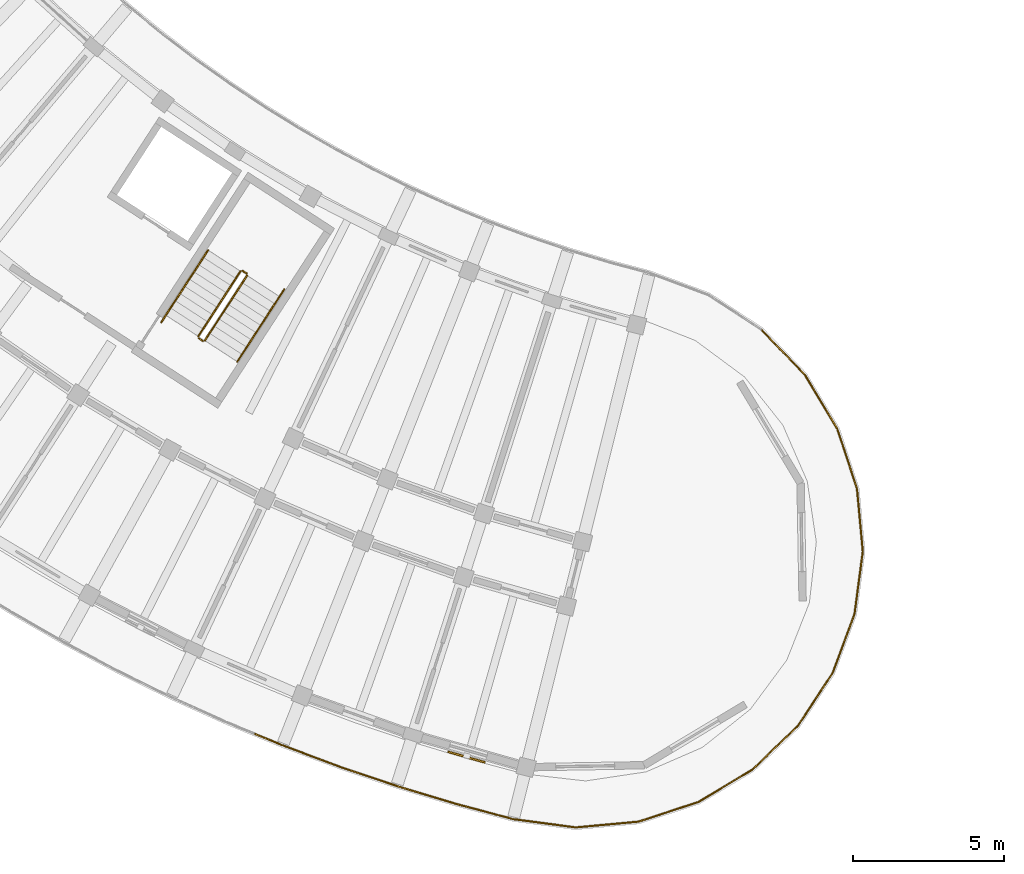
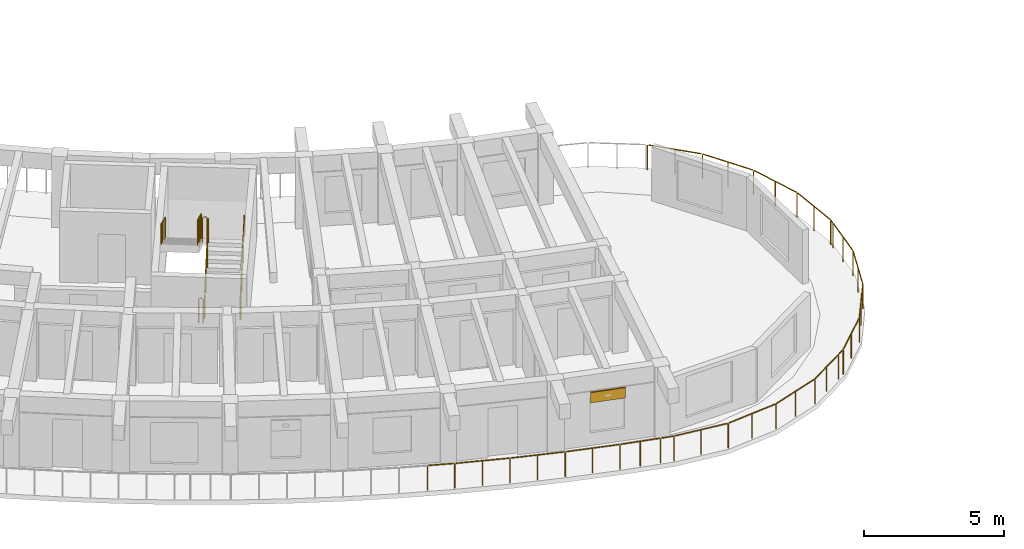
# One storey, part 54 of 69: 14 railings, 1 shading device.
"""IFC4 building model written with IfcOpenShell, lengths in metres."""

from ifc_helpers import new_model, si_unit, direction, frame, origin, origin_2d, place, context, subcontext, project, spatial, rectangle, circle, extrude, material, layer, layer_set, type_object, element, save


model = new_model("IFC4")

# Units and contexts
model_context = context("Model", 3, precision=1e-05, world=origin(), true_north=direction((0.0, 1.0)))
body_context = subcontext(model_context, "Body", "Model", "MODEL_VIEW")
ifc_project = project(units=[si_unit("LENGTHUNIT", "METRE"), si_unit("AREAUNIT", "SQUARE_METRE"), si_unit("VOLUMEUNIT", "CUBIC_METRE"), si_unit("PLANEANGLEUNIT", "RADIAN"), si_unit("MASSUNIT", "GRAM", prefix="KILO")], contexts=[model_context])

# Site, building, storey
site_placement = place(None, origin())
site = spatial("IfcSite", under=ifc_project, at=site_placement, CompositionType="ELEMENT")
building_placement = place(site_placement, origin())
building = spatial("IfcBuilding", under=site, at=building_placement, Name="Tanwirah Colonnade Gardens", CompositionType="ELEMENT")
storey_placement = place(building_placement, frame((0.0, 0.0, 15.56005859375)))
storey = spatial("IfcBuildingStorey", under=building, at=storey_placement, Name="L04", CompositionType="ELEMENT", Elevation=15.56005859375)

# Railings
ifc_material_1 = material(Name="Precast concrete C40/50", Category="concrete")
railing_type_1 = type_object("IfcRailingType", Name="BAL-EXT110", PredefinedType="BALUSTRADE", material=ifc_material_1)
railing_1_placement = place(storey_placement, frame((58.4072265625, 21.1796875, 0.0)))
element("IfcRailing", 1, at=railing_1_placement, inside=storey, type_object=railing_type_1, Name="Block C L04 Balcony Ribbon Balustrade 7", PredefinedType="BALUSTRADE", context=body_context, shape_type="SweptSolid", body=[
    extrude(circle(Radius=0.02392578125, at=origin_2d()), frame((0.021728515625, -0.0224609375, 1.076171875), z_axis=(0.692905401336, -0.721028504845, 0.0), x_axis=(0.721028504845, 0.692905401336, 0.0)), (0.0, 0.0, 1.0), 1.9775390625),
    extrude(circle(Radius=0.02392578125, at=origin_2d()), frame((1.4296875, -1.497802734375, 1.076171875), z_axis=(0.514994600754, -0.85719342111, 0.0), x_axis=(0.85719342111, 0.514994600754, 0.0)), (0.0, 0.0, 1.0), 2.0244140625),
    extrude(circle(Radius=0.02392578125, at=origin_2d()), frame((2.498046875, -3.28955078125, 1.076171875), z_axis=(0.311415597507, -0.950273816134, 0.0), x_axis=(0.950273816134, 0.311415597507, 0.0)), (0.0, 0.0, 1.0), 2.0244140625),
    extrude(circle(Radius=0.02392578125, at=origin_2d()), frame((3.14111328125, -5.274169921875, 1.076171875), z_axis=(0.092181027347, -0.995742264945, 0.0), x_axis=(0.995742264945, 0.092181027347, 0.0)), (0.0, 0.0, 1.0), 2.0244140625),
    extrude(circle(Radius=0.02392578125, at=origin_2d()), frame((3.326416015625, -7.35205078125, 1.076171875), z_axis=(-0.132485122951, -0.991184993932, 0.0), x_axis=(0.991184993932, -0.132485122951, 0.0)), (0.0, 0.0, 1.0), 0.136474609375),
    extrude(circle(Radius=0.02099609375, at=origin_2d()), origin(), (0.0, 0.0, 1.0), 1.049072265625),
    extrude(circle(Radius=0.02099609375, at=origin_2d()), frame((0.706787109375, -0.7353515625, 0.0)), (0.0, 0.0, 1.0), 1.049072265625),
    extrude(circle(Radius=0.02099609375, at=origin_2d()), frame((1.41357421875, -1.470947265625, 0.0)), (0.0, 0.0, 1.0), 1.049072265625),
    extrude(circle(Radius=0.02099609375, at=origin_2d()), frame((1.950927734375, -2.365234375, 0.0)), (0.0, 0.0, 1.0), 1.049072265625),
    extrude(circle(Radius=0.02099609375, at=origin_2d()), frame((2.48828125, -3.259765625, 0.0)), (0.0, 0.0, 1.0), 1.049072265625),
    extrude(circle(Radius=0.02099609375, at=origin_2d()), frame((2.813232421875, -4.25146484375, 0.0)), (0.0, 0.0, 1.0), 1.049072265625),
    extrude(circle(Radius=0.02099609375, at=origin_2d()), frame((3.13818359375, -5.242919921875, 0.0)), (0.0, 0.0, 1.0), 1.049072265625),
    extrude(circle(Radius=0.02099609375, at=origin_2d()), frame((3.234375, -6.281982421875, 0.0)), (0.0, 0.0, 1.0), 1.049072265625),
    extrude(circle(Radius=0.02099609375, at=origin_2d()), frame((3.33056640625, -7.321044921875, 0.0)), (0.0, 0.0, 1.0), 1.049072265625),
    extrude(circle(Radius=0.02099609375, at=origin_2d()), frame((3.30419921875, -7.518310546875, 0.0)), (0.0, 0.0, 1.0), 1.049072265625),
])
railing_2_placement = place(storey_placement, frame((61.71142578125, 13.661376953125, 0.0)))
element("IfcRailing", 2, at=railing_2_placement, inside=storey, type_object=railing_type_1, Name="Block C L04 Balcony Ribbon Balustrade 8", PredefinedType="BALUSTRADE", context=body_context, shape_type="SweptSolid", body=[
    extrude(circle(Radius=0.02392578125, at=origin_2d()), frame((-0.004150390625, -0.031005859375, 1.076171875), z_axis=(-0.131782511201, -0.991278653932, 0.0), x_axis=(0.991278653932, -0.131782511201, 0.0)), (0.0, 0.0, 1.0), 1.8251953125),
    extrude(circle(Radius=0.02392578125, at=origin_2d()), frame((-0.259765625, -1.900634765625, 1.076171875), z_axis=(-0.348994198599, -0.937124884604, 0.0), x_axis=(0.937124884604, -0.348994198599, 0.0)), (0.0, 0.0, 1.0), 2.024169921875),
    extrude(circle(Radius=0.02392578125, at=origin_2d()), frame((-0.994140625, -3.85302734375, 1.076171875), z_axis=(-0.548773979468, -0.835970764715, 0.0), x_axis=(0.835970764715, -0.548773979468, 0.0)), (0.0, 0.0, 1.0), 2.0244140625),
    extrude(circle(Radius=0.02392578125, at=origin_2d()), frame((-2.144775390625, -5.59326171875, 1.076171875), z_axis=(-0.721062309091, -0.692870223353, 0.0), x_axis=(0.692870223353, -0.721062309091, 0.0)), (0.0, 0.0, 1.0), 2.0244140625),
    extrude(circle(Radius=0.02392578125, at=origin_2d()), frame((-3.654052734375, -7.03369140625, 1.076171875), z_axis=(-0.857492925713, -0.514495755428, 0.0), x_axis=(0.514495755428, -0.857492925713, 0.0)), (0.0, 0.0, 1.0), 0.2890625),
    extrude(circle(Radius=0.02099609375, at=origin_2d()), origin(), (0.0, 0.0, 1.0), 1.049072265625),
    extrude(circle(Radius=0.02099609375, at=origin_2d()), frame((-0.12451171875, -0.935546875, 0.0)), (0.0, 0.0, 1.0), 1.049072265625),
    extrude(circle(Radius=0.02099609375, at=origin_2d()), frame((-0.248779296875, -1.871337890625, 0.0)), (0.0, 0.0, 1.0), 1.049072265625),
    extrude(circle(Radius=0.02099609375, at=origin_2d()), frame((-0.61279296875, -2.84912109375, 0.0)), (0.0, 0.0, 1.0), 1.049072265625),
    extrude(circle(Radius=0.02099609375, at=origin_2d()), frame((-0.97705078125, -3.826904296875, 0.0)), (0.0, 0.0, 1.0), 1.049072265625),
    extrude(circle(Radius=0.02099609375, at=origin_2d()), frame((-1.5498046875, -4.69921875, 0.0)), (0.0, 0.0, 1.0), 1.049072265625),
    extrude(circle(Radius=0.02099609375, at=origin_2d()), frame((-2.122314453125, -5.571533203125, 0.0)), (0.0, 0.0, 1.0), 1.049072265625),
    extrude(circle(Radius=0.02099609375, at=origin_2d()), frame((-2.874755859375, -6.29443359375, 0.0)), (0.0, 0.0, 1.0), 1.049072265625),
    extrude(circle(Radius=0.02099609375, at=origin_2d()), frame((-3.627197265625, -7.017578125, 0.0)), (0.0, 0.0, 1.0), 1.049072265625),
    extrude(circle(Radius=0.02099609375, at=origin_2d()), frame((-3.9287109375, -7.198486328125, 0.0)), (0.0, 0.0, 1.0), 1.049072265625),
])
railing_3_placement = place(storey_placement, frame((57.78271484375, 6.462890625, 0.0)))
element("IfcRailing", 3, at=railing_3_placement, inside=storey, type_object=railing_type_1, Name="Block C L04 Balcony Ribbon Balustrade 9", PredefinedType="BALUSTRADE", context=body_context, shape_type="SweptSolid", body=[
    extrude(circle(Radius=0.02392578125, at=origin_2d()), frame((-0.02685546875, -0.01611328125, 1.076171875), z_axis=(-0.857132694219, -0.515095665387, 0.0), x_axis=(0.515095665387, -0.857132694219, 0.0)), (0.0, 0.0, 1.0), 1.672607421875),
    extrude(circle(Radius=0.02392578125, at=origin_2d()), frame((-1.51708984375, -0.903564453125, 1.076171875), z_axis=(-0.950273816134, -0.311415597507, 0.0), x_axis=(0.311415597507, -0.950273816134, 0.0)), (0.0, 0.0, 1.0), 2.0244140625),
    extrude(circle(Radius=0.02392578125, at=origin_2d()), frame((-3.501708984375, -1.546630859375, 1.076171875), z_axis=(-0.995752995821, -0.0920650385, 0.0), x_axis=(0.0920650385, -0.995752995821, 0.0)), (0.0, 0.0, 1.0), 2.0244140625),
    extrude(circle(Radius=0.02392578125, at=origin_2d()), frame((-5.57958984375, -1.731689453125, 1.076171875), z_axis=(-0.991286952851, 0.131720071011, 0.0), x_axis=(-0.131720071011, -0.991286952851, 0.0)), (0.0, 0.0, 1.0), 2.0283203125),
    extrude(circle(Radius=0.02392578125, at=origin_2d()), frame((-7.6513671875, -1.452392578125, 1.076171875), z_axis=(-0.966202518502, 0.257784198974, 0.0), x_axis=(-0.257784198974, -0.966202518502, 0.0)), (0.0, 0.0, 1.0), 0.4375),
    extrude(circle(Radius=0.02099609375, at=origin_2d()), origin(), (0.0, 0.0, 1.0), 1.049072265625),
    extrude(circle(Radius=0.02099609375, at=origin_2d()), frame((-0.74365234375, -0.44677734375, 0.0)), (0.0, 0.0, 1.0), 1.049072265625),
    extrude(circle(Radius=0.02099609375, at=origin_2d()), frame((-1.4873046875, -0.893798828125, 0.0)), (0.0, 0.0, 1.0), 1.049072265625),
    extrude(circle(Radius=0.02099609375, at=origin_2d()), frame((-2.47900390625, -1.21875, 0.0)), (0.0, 0.0, 1.0), 1.049072265625),
    extrude(circle(Radius=0.02099609375, at=origin_2d()), frame((-3.470458984375, -1.543701171875, 0.0)), (0.0, 0.0, 1.0), 1.049072265625),
    extrude(circle(Radius=0.02099609375, at=origin_2d()), frame((-4.509521484375, -1.6396484375, 0.0)), (0.0, 0.0, 1.0), 1.049072265625),
    extrude(circle(Radius=0.02099609375, at=origin_2d()), frame((-5.548583984375, -1.73583984375, 0.0)), (0.0, 0.0, 1.0), 1.049072265625),
    extrude(circle(Radius=0.02099609375, at=origin_2d()), frame((-6.5849609375, -1.59814453125, 0.0)), (0.0, 0.0, 1.0), 1.049072265625),
    extrude(circle(Radius=0.02099609375, at=origin_2d()), frame((-7.62109375, -1.46044921875, 0.0)), (0.0, 0.0, 1.0), 1.049072265625),
    extrude(circle(Radius=0.02099609375, at=origin_2d()), frame((-8.104248046875, -1.33154296875, 0.0)), (0.0, 0.0, 1.0), 1.049072265625),
])
railing_4_placement = place(storey_placement, frame((49.678466796875, 5.13134765625, 0.0)))
element("IfcRailing", 4, at=railing_4_placement, inside=storey, type_object=railing_type_1, Name="Block C L04 Balcony Ribbon Balustrade 10", PredefinedType="BALUSTRADE", context=body_context, shape_type="SweptSolid", body=[
    extrude(circle(Radius=0.02392578125, at=origin_2d()), frame((-0.0302734375, 0.008056640625, 1.076171875), z_axis=(-0.966189083101, 0.257834551014, 0.0), x_axis=(-0.257834551014, -0.966189083101, 0.0)), (0.0, 0.0, 1.0), 1.440185546875),
    extrude(circle(Radius=0.02392578125, at=origin_2d()), frame((-1.48193359375, 0.396484375, 1.076171875), z_axis=(-0.957268624199, 0.289200243991, 0.0), x_axis=(-0.289200243991, -0.957268624199, 0.0)), (0.0, 0.0, 1.0), 1.944091796875),
    extrude(circle(Radius=0.02392578125, at=origin_2d()), frame((-3.40234375, 0.977783203125, 1.076171875), z_axis=(-0.947287006593, 0.320386215589, 0.0), x_axis=(-0.320386215589, -0.947287006593, 0.0)), (0.0, 0.0, 1.0), 1.94384765625),
    extrude(circle(Radius=0.02392578125, at=origin_2d()), frame((-5.302734375, 1.62158203125, 1.076171875), z_axis=(-0.93628917395, 0.351230099427, 0.0), x_axis=(-0.351230099427, -0.93628917395, 0.0)), (0.0, 0.0, 1.0), 1.9443359375),
    extrude(circle(Radius=0.02392578125, at=origin_2d()), frame((-7.18115234375, 2.327392578125, 1.076171875), z_axis=(-0.924320802518, 0.381616370237, 0.0), x_axis=(-0.381616370237, -0.924320802518, 0.0)), (0.0, 0.0, 1.0), 0.9150390625),
    extrude(circle(Radius=0.02099609375, at=origin_2d()), origin(), (0.0, 0.0, 1.0), 1.049072265625),
    extrude(circle(Radius=0.02099609375, at=origin_2d()), frame((-0.72607421875, 0.19384765625, 0.0)), (0.0, 0.0, 1.0), 1.049072265625),
    extrude(circle(Radius=0.02099609375, at=origin_2d()), frame((-1.451904296875, 0.387451171875, 0.0)), (0.0, 0.0, 1.0), 1.049072265625),
    extrude(circle(Radius=0.02099609375, at=origin_2d()), frame((-2.412353515625, 0.677734375, 0.0)), (0.0, 0.0, 1.0), 1.049072265625),
    extrude(circle(Radius=0.02099609375, at=origin_2d()), frame((-3.372802734375, 0.9677734375, 0.0)), (0.0, 0.0, 1.0), 1.049072265625),
    extrude(circle(Radius=0.02099609375, at=origin_2d()), frame((-4.3232421875, 1.2890625, 0.0)), (0.0, 0.0, 1.0), 1.049072265625),
    extrude(circle(Radius=0.02099609375, at=origin_2d()), frame((-5.2734375, 1.610595703125, 0.0)), (0.0, 0.0, 1.0), 1.049072265625),
    extrude(circle(Radius=0.02099609375, at=origin_2d()), frame((-6.212890625, 1.962890625, 0.0)), (0.0, 0.0, 1.0), 1.049072265625),
    extrude(circle(Radius=0.02099609375, at=origin_2d()), frame((-7.15234375, 2.3154296875, 0.0)), (0.0, 0.0, 1.0), 1.049072265625),
    extrude(circle(Radius=0.02099609375, at=origin_2d()), frame((-8.055908203125, 2.6884765625, 0.0)), (0.0, 0.0, 1.0), 1.049072265625),
])
ifc_material_2 = material(Name="Powder-coated galvanized steel", Category="steel")
railing_type_2 = type_object("IfcRailingType", Name="GRD-ST110", PredefinedType="GUARDRAIL", material=ifc_material_2)
railing_5_placement = place(storey_placement, frame((39.955078125, 20.84814453125, 0.16796875)))
element("IfcRailing", 5, at=railing_5_placement, inside=storey, type_object=railing_type_2, Name="L04 ST-C2 stair guard 1", PredefinedType="GUARDRAIL", context=body_context, shape_type="SweptSolid", body=[
    extrude(circle(Radius=0.02392578125, at=origin_2d()), frame((0.0146484375, 0.022705078125, 1.092041015625), z_axis=(0.469192556557, 0.722484378858, 0.507813614603), x_axis=(-0.838667537708, 0.544643701143, 0.0)), (0.0, 0.0, 1.0), 2.914794921875),
    extrude(circle(Radius=0.02099609375, at=origin_2d()), origin(), (0.0, 0.0, 1.0), 1.049072265625),
    extrude(circle(Radius=0.02099609375, at=origin_2d()), frame((0.465576171875, 0.717041015625, 0.50390625)), (0.0, 0.0, 1.0), 1.049072265625),
    extrude(circle(Radius=0.02099609375, at=origin_2d()), frame((0.931396484375, 1.43408203125, 1.008056640625)), (0.0, 0.0, 1.0), 1.049072265625),
    extrude(circle(Radius=0.02099609375, at=origin_2d()), frame((1.39697265625, 2.151123046875, 1.511962890625)), (0.0, 0.0, 1.0), 1.049072265625),
])
railing_6_placement = place(storey_placement, frame((41.33740234375, 23.068603515625, 1.679931640625)))
element("IfcRailing", 6, at=railing_6_placement, inside=storey, type_object=railing_type_2, Name="L04 ST-C2 stair guard 2", PredefinedType="GUARDRAIL", context=body_context, shape_type="SweptSolid", body=[
    extrude(circle(Radius=0.02392578125, at=origin_2d()), frame((-0.026123046875, 0.01708984375, 1.076171875), z_axis=(-0.838791880614, 0.544452184326, 0.0), x_axis=(-0.544452184326, -0.838791880614, 0.0)), (0.0, 0.0, 1.0), 0.09765625),
    extrude(circle(Radius=0.02099609375, at=origin_2d()), origin(), (0.0, 0.0, 1.0), 1.049072265625),
    extrude(circle(Radius=0.02099609375, at=origin_2d()), frame((-0.13427734375, 0.087158203125, 0.0)), (0.0, 0.0, 1.0), 1.049072265625),
])
railing_7_placement = place(storey_placement, frame((41.134033203125, 23.140869140625, 1.847900390625)))
element("IfcRailing", 7, at=railing_7_placement, inside=storey, type_object=railing_type_2, Name="L04 ST-C2 stair guard 3", PredefinedType="GUARDRAIL", context=body_context, shape_type="SweptSolid", body=[
    extrude(circle(Radius=0.02392578125, at=origin_2d()), frame((-0.0146484375, -0.022705078125, 1.092041015625), z_axis=(-0.469192556557, -0.722484378858, 0.507813614603), x_axis=(0.838667537708, -0.544643701143, 0.0)), (0.0, 0.0, 1.0), 2.914794921875),
    extrude(circle(Radius=0.02099609375, at=origin_2d()), origin(), (0.0, 0.0, 1.0), 1.049072265625),
    extrude(circle(Radius=0.02099609375, at=origin_2d()), frame((-0.465576171875, -0.717041015625, 0.50390625)), (0.0, 0.0, 1.0), 1.049072265625),
    extrude(circle(Radius=0.02099609375, at=origin_2d()), frame((-0.931396484375, -1.43408203125, 1.008056640625)), (0.0, 0.0, 1.0), 1.049072265625),
    extrude(circle(Radius=0.02099609375, at=origin_2d()), frame((-1.39697265625, -2.151123046875, 1.511962890625)), (0.0, 0.0, 1.0), 1.049072265625),
])
railing_8_placement = place(storey_placement, frame((39.8857421875, 20.83349609375, 0.0)))
element("IfcRailing", 8, at=railing_8_placement, inside=storey, type_object=railing_type_2, Name="L04 ST-C2 stair guard 4", PredefinedType="GUARDRAIL", context=body_context, shape_type="SweptSolid", body=[
    extrude(circle(Radius=0.02392578125, at=origin_2d()), frame((-0.026123046875, 0.01708984375, 1.076171875), z_axis=(-0.838338936283, 0.545149362938, 0.0), x_axis=(-0.545149362938, -0.838338936283, 0.0)), (0.0, 0.0, 1.0), 0.097412109375),
    extrude(circle(Radius=0.02099609375, at=origin_2d()), origin(), (0.0, 0.0, 1.0), 1.049072265625),
    extrude(circle(Radius=0.02099609375, at=origin_2d()), frame((-0.134033203125, 0.087158203125, 0.0)), (0.0, 0.0, 1.0), 1.049072265625),
])
ifc_material_3 = material(Name="Brushed bronze stainless steel", Category="steel")
railing_type_3 = type_object("IfcRailingType", Name="HR-ST090", PredefinedType="HANDRAIL", material=ifc_material_3)
railing_9_placement = place(storey_placement, frame((41.028564453125, 20.151123046875, 0.16796875)))
element("IfcRailing", 9, at=railing_9_placement, inside=storey, type_object=railing_type_3, Name="L04 ST-C2 stair handrail 1", PredefinedType="HANDRAIL", context=body_context, shape_type="SweptSolid", body=[
    extrude(circle(Radius=0.02392578125, at=origin_2d()), frame((0.0146484375, 0.0224609375, 0.891845703125), z_axis=(0.467889522294, 0.720492454576, 0.511830067333), x_axis=(-0.838672561027, 0.544635965926, 0.0)), (0.0, 0.0, 1.0), 1.043212890625),
    extrude(circle(Radius=0.02099609375, at=origin_2d()), origin(), (0.0, 0.0, 1.0), 0.848876953125),
    extrude(circle(Radius=0.02099609375, at=origin_2d()), frame((0.517333984375, 0.796630859375, 0.56591796875)), (0.0, 0.0, 1.0), 0.848876953125),
])
railing_10_placement = place(storey_placement, frame((41.5458984375, 20.94775390625, 0.73388671875)))
element("IfcRailing", 10, at=railing_10_placement, inside=storey, type_object=railing_type_3, Name="L04 ST-C2 stair handrail 2", PredefinedType="HANDRAIL", context=body_context, shape_type="SweptSolid", body=[
    extrude(circle(Radius=0.02392578125, at=origin_2d()), frame((0.0146484375, 0.0224609375, 0.891845703125), z_axis=(0.467836641068, 0.720411023977, 0.511993001717), x_axis=(-0.838672561027, 0.544635965926, 0.0)), (0.0, 0.0, 1.0), 1.043212890625),
    extrude(circle(Radius=0.02099609375, at=origin_2d()), origin(), (0.0, 0.0, 1.0), 0.848876953125),
    extrude(circle(Radius=0.02099609375, at=origin_2d()), frame((0.517333984375, 0.796630859375, 0.566162109375)), (0.0, 0.0, 1.0), 0.848876953125),
])
railing_11_placement = place(storey_placement, frame((42.063232421875, 21.744384765625, 1.300048828125)))
element("IfcRailing", 11, at=railing_11_placement, inside=storey, type_object=railing_type_3, Name="L04 ST-C2 stair handrail 3", PredefinedType="HANDRAIL", context=body_context, shape_type="SweptSolid", body=[
    extrude(circle(Radius=0.02392578125, at=origin_2d()), frame((0.0146484375, 0.0224609375, 0.891845703125), z_axis=(0.467987521127, 0.720524183471, 0.511695789609), x_axis=(-0.838631412534, 0.544699324317, 0.0)), (0.0, 0.0, 1.0), 1.04345703125),
    extrude(circle(Radius=0.02099609375, at=origin_2d()), origin(), (0.0, 0.0, 1.0), 0.848876953125),
    extrude(circle(Radius=0.02099609375, at=origin_2d()), frame((0.517578125, 0.796875, 0.56591796875)), (0.0, 0.0, 1.0), 0.848876953125),
])
railing_12_placement = place(storey_placement, frame((40.060546875, 23.838134765625, 1.847900390625)))
element("IfcRailing", 12, at=railing_12_placement, inside=storey, type_object=railing_type_3, Name="L04 ST-C2 stair handrail 4", PredefinedType="HANDRAIL", context=body_context, shape_type="SweptSolid", body=[
    extrude(circle(Radius=0.02392578125, at=origin_2d()), frame((-0.0146484375, -0.0224609375, 0.891845703125), z_axis=(-0.467934656569, -0.720442792, 0.511858711596), x_axis=(0.838631412534, -0.544699324317, 0.0)), (0.0, 0.0, 1.0), 1.04345703125),
    extrude(circle(Radius=0.02099609375, at=origin_2d()), origin(), (0.0, 0.0, 1.0), 0.848876953125),
    extrude(circle(Radius=0.02099609375, at=origin_2d()), frame((-0.517578125, -0.796875, 0.566162109375)), (0.0, 0.0, 1.0), 0.848876953125),
])
for number, where, name in (
    (13, (39.54296875, 23.041259765625, 2.4140625), "L04 ST-C2 stair handrail 5"),
    (14, (39.025634765625, 22.24462890625, 2.97998046875), "L04 ST-C2 stair handrail 6"),
):
    element("IfcRailing", number, at=place(storey_placement, frame(where)), inside=storey, type_object=railing_type_3, Name=name, PredefinedType="HANDRAIL", context=body_context, shape_type="SweptSolid", body=[
        extrude(circle(Radius=0.02392578125, at=origin_2d()), frame((-0.0146484375, -0.0224609375, 0.891845703125), z_axis=(-0.467889522294, -0.720492454576, 0.511830067333), x_axis=(0.838672561027, -0.544635965926, 0.0)), (0.0, 0.0, 1.0), 1.043212890625),
        extrude(circle(Radius=0.02099609375, at=origin_2d()), origin(), (0.0, 0.0, 1.0), 0.848876953125),
        extrude(circle(Radius=0.02099609375, at=origin_2d()), frame((-0.517333984375, -0.796630859375, 0.56591796875)), (0.0, 0.0, 1.0), 0.848876953125),
    ])

# Shading device
ifc_material_4 = material(Name="Perforated architectural bronze aluminium", Category="aluminium")
ifc_layer = layer(ifc_material_4, 0.050048828125)
ifc_layer_set = layer_set([ifc_layer], Name="Perforated architectural bronze aluminium")
shading_device_type = type_object("IfcShadingDeviceType", Name="SHD-OVH1", PredefinedType="SHUTTER", material=ifc_layer_set)
shading_device_placement = place(storey_placement, frame((48.61669921875, 7.054931640625, 1.94482421875), z_axis=(0.0, 0.0, 1.0), x_axis=(0.961860770803, -0.273539499139, 0.0)))
element("IfcShadingDevice", 15, at=shading_device_placement, inside=storey, type_object=shading_device_type, Name="Solar shading louver hood C-L04-15", PredefinedType="SHUTTER", context=body_context, shape_type="SweptSolid", body=[
    extrude(rectangle(XDim=1.280029296875, YDim=0.06005859375, at=origin_2d()), origin(), (0.0, 0.0, 1.0), 0.449951171875),
])

save(model, "model.ifc")
